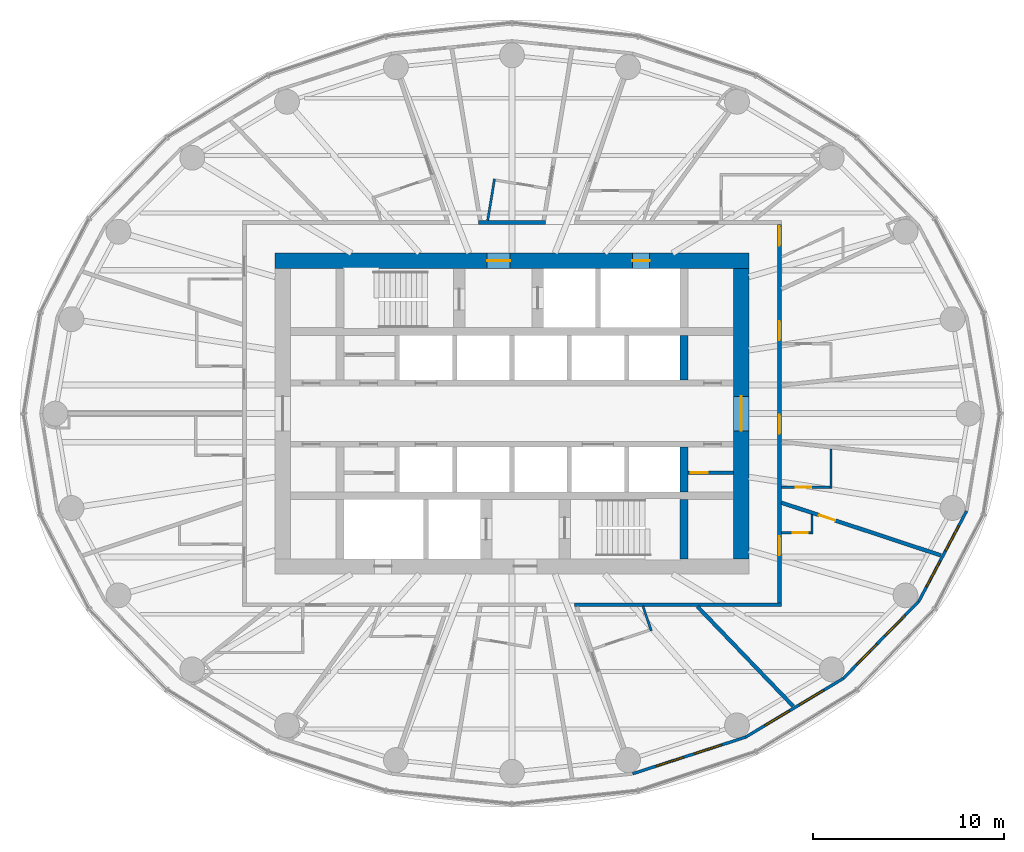
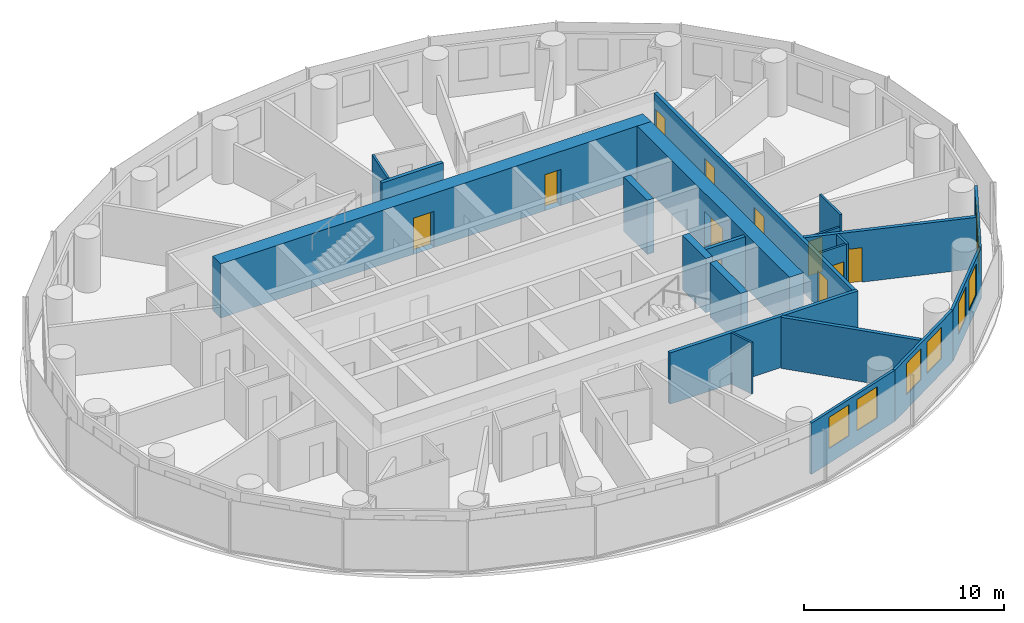
# One storey, part 9 of 13: 21 walls, 11 doors, 8 windows, 19 openings.
"""IFC4 building model written with IfcOpenShell, lengths in metres."""

from ifc_helpers import new_model, si_unit, direction, frame, frame_2d, origin, place, context, subcontext, project, spatial, rectangle, extrude, material, layer, layer_set, type_object, element, fill, save


model = new_model("IFC4")

# Units and contexts
model_context = context("Model", 3, precision=1e-05, world=origin(), true_north=direction((0.0, 1.0)))
body_context = subcontext(model_context, "Body", "Model", "MODEL_VIEW")
ifc_project = project(units=[si_unit("LENGTHUNIT", "METRE"), si_unit("AREAUNIT", "SQUARE_METRE"), si_unit("VOLUMEUNIT", "CUBIC_METRE"), si_unit("PLANEANGLEUNIT", "RADIAN"), si_unit("MASSUNIT", "GRAM", prefix="KILO")], contexts=[model_context])

# Site, building, storey
site_placement = place(None, origin())
site = spatial("IfcSite", under=ifc_project, at=site_placement, CompositionType="ELEMENT")
building_placement = place(site_placement, origin())
building = spatial("IfcBuilding", under=site, at=building_placement, Name="Hankou Lantern Tower", CompositionType="ELEMENT")
storey_placement = place(building_placement, frame((0.0, 0.0, 125.39990234375)))
storey = spatial("IfcBuildingStorey", under=building, at=storey_placement, Name="L32", CompositionType="ELEMENT", Elevation=125.39990234375)

# Wall, openings, doors
ifc_material_1 = material(Name="Concrete C60", Category="concrete")
ifc_layer_1 = layer(ifc_material_1, 0.800048828125)
ifc_layer_set_1 = layer_set([ifc_layer_1], Name="Concrete C60")
wall_type_1 = type_object("IfcWallType", Name="CW2 CORE WALL 800", PredefinedType="SHEAR", material=ifc_layer_set_1)
wall_1_placement = place(storey_placement, frame((-12.39990234375, 8.0, 0.0), z_axis=(0.0, 0.0, 1.0), x_axis=(1.0, 0.0, 0.0)))
wall_1 = element("IfcWall", 1, at=wall_1_placement, inside=storey, type_object=wall_type_1, Name="Core wall north L32", PredefinedType="SHEAR", context=body_context, shape_type="SweptSolid", body=[
    extrude(rectangle(XDim=24.7998046875, YDim=0.800048828125, at=frame_2d((12.39990234375, 0.0))), origin(), (0.0, 0.0, 1.0), 3.300048828125),
])
opening_1_placement = place(wall_1_placement, frame((11.10009765625, 0.0, 0.0)))
opening_1 = element("IfcOpeningElement", 2, at=opening_1_placement, cuts=wall_1, Name="Opening D5", PredefinedType="OPENING", context=body_context, shape_type="SweptSolid", body=[
    extrude(rectangle(XDim=1.199951171875, YDim=2.199951171875, at=frame_2d((0.60009765625, 1.10009765625))), frame((0.0, 0.409912109375, 0.0), z_axis=(0.0, -1.0, 0.0), x_axis=(1.0, 0.0, 0.0)), (0.0, 0.0, 1.0), 0.820068359375),
])
opening_2_placement = place(wall_1_placement, frame((18.699951171875, 0.0, 0.0)))
opening_2 = element("IfcOpeningElement", 3, at=opening_2_placement, cuts=wall_1, Name="Opening D7", PredefinedType="OPENING", context=body_context, shape_type="SweptSolid", body=[
    extrude(rectangle(XDim=0.89990234375, YDim=2.199951171875, at=frame_2d((0.449951171875, 1.10009765625))), frame((0.0, 0.409912109375, 0.0), z_axis=(0.0, -1.0, 0.0), x_axis=(1.0, 0.0, 0.0)), (0.0, 0.0, 1.0), 0.820068359375),
])
ifc_material_2 = material(Name="Steel door leaf", Category="steel")
door_type_1 = type_object("IfcDoorType", Name="D5 STAIR LOBBY DOOR 1200X2200", OperationType="SINGLE_SWING_LEFT", PredefinedType="DOOR", material=ifc_material_2)
door_1_placement = place(opening_1_placement, origin())
door_1 = element("IfcDoor", 4, at=door_1_placement, inside=storey, type_object=door_type_1, Name="Stair A lobby door", OperationType="SINGLE_SWING_LEFT", OverallHeight=2.199951171875, OverallWidth=1.199951171875, PredefinedType="DOOR", context=body_context, shape_type="SweptSolid", body=[
    extrude(rectangle(XDim=1.199951171875, YDim=2.199951171875, at=frame_2d((0.60009765625, 1.10009765625))), frame((0.0, 0.02490234375, 0.0), z_axis=(0.0, -1.0, 0.0), x_axis=(1.0, 0.0, 0.0)), (0.0, 0.0, 1.0), 0.050048828125),
])
fill(opening_1, door_1)
ifc_material_3 = material(Name="Steel door leaf", Category="steel")
door_type_2 = type_object("IfcDoorType", Name="D7 RISER DOOR 900X2200", OperationType="SINGLE_SWING_LEFT", PredefinedType="DOOR", material=ifc_material_3)
door_2_placement = place(opening_2_placement, origin())
door_2 = element("IfcDoor", 5, at=door_2_placement, inside=storey, type_object=door_type_2, Name="Riser N1 door", OperationType="SINGLE_SWING_RIGHT", OverallHeight=2.199951171875, OverallWidth=0.89990234375, PredefinedType="DOOR", context=body_context, shape_type="SweptSolid", body=[
    extrude(rectangle(XDim=0.89990234375, YDim=2.199951171875, at=frame_2d((0.449951171875, 1.10009765625))), frame((0.0, 0.02490234375, 0.0), z_axis=(0.0, -1.0, 0.0), x_axis=(1.0, 0.0, 0.0)), (0.0, 0.0, 1.0), 0.050048828125),
])
fill(opening_2, door_2)

# Wall, opening, door
wall_2_placement = place(storey_placement, frame((12.0, -7.60009765625, 0.0), z_axis=(0.0, 0.0, 1.0), x_axis=(0.0, 1.0, 0.0)))
wall_2 = element("IfcWall", 6, at=wall_2_placement, inside=storey, type_object=wall_type_1, Name="Core wall east L32", PredefinedType="SHEAR", context=body_context, shape_type="SweptSolid", body=[
    extrude(rectangle(XDim=15.2001953125, YDim=0.800048828125, at=frame_2d((7.60009765625, 0.0))), origin(), (0.0, 0.0, 1.0), 3.300048828125),
])
opening_3_placement = place(wall_2_placement, frame((6.699951171875, 0.0, 0.0)))
opening_3 = element("IfcOpeningElement", 7, at=opening_3_placement, cuts=wall_2, Name="Opening D6", PredefinedType="OPENING", context=body_context, shape_type="SweptSolid", body=[
    extrude(rectangle(XDim=1.800048828125, YDim=2.199951171875, at=frame_2d((0.89990234375, 1.10009765625))), frame((0.0, 0.409912109375, 0.0), z_axis=(0.0, -1.0, 0.0), x_axis=(1.0, 0.0, 0.0)), (0.0, 0.0, 1.0), 0.820068359375),
])
ifc_material_4 = material(Name="Steel door leaf", Category="steel")
door_type_3 = type_object("IfcDoorType", Name="D6 LIFT LOBBY DOOR 1800X2200", OperationType="DOUBLE_DOOR_DOUBLE_SWING", PredefinedType="DOOR", material=ifc_material_4)
door_3_placement = place(opening_3_placement, origin())
door_3 = element("IfcDoor", 8, at=door_3_placement, inside=storey, type_object=door_type_3, Name="Lift lobby east door", OperationType="DOUBLE_DOOR_DOUBLE_SWING", OverallHeight=2.199951171875, OverallWidth=1.800048828125, PredefinedType="DOOR", context=body_context, shape_type="SweptSolid", body=[
    extrude(rectangle(XDim=1.800048828125, YDim=2.199951171875, at=frame_2d((0.89990234375, 1.10009765625))), frame((0.0, 0.02490234375, 0.0), z_axis=(0.0, -1.0, 0.0), x_axis=(1.0, 0.0, 0.0)), (0.0, 0.0, 1.0), 0.050048828125),
])
fill(opening_3, door_3)

# Walls
ifc_material_5 = material(Name="Concrete C60", Category="concrete")
ifc_layer_2 = layer(ifc_material_5, 0.39990234375)
ifc_layer_set_2 = layer_set([ifc_layer_2], Name="Concrete C60")
wall_type_2 = type_object("IfcWallType", Name="CW4 CORE CROSS WALL 400", PredefinedType="SHEAR", material=ifc_layer_set_2)
for number, where, z_axis, x_axis, name in (
    (9, (9.0, 1.75, 0.0), (0.0, 0.0, 1.0), (0.0, 1.0, 0.0), "Core strip wall L32"),
    (10, (9.0, -4.10009765625, 0.0), (0.0, 0.0, 1.0), (0.0, 1.0, 0.0), "Core strip wall L32"),
):
    element("IfcWall", number, at=place(storey_placement, frame(where, z_axis=z_axis, x_axis=x_axis)), inside=storey, type_object=wall_type_2, Name=name, PredefinedType="SHEAR", context=body_context, shape_type="SweptSolid", body=[
        extrude(rectangle(XDim=2.35009765625, YDim=0.39990234375, at=frame_2d((1.175048828125, 0.0))), origin(), (0.0, 0.0, 1.0), 3.300048828125),
    ])
wall_3_placement = place(storey_placement, frame((9.0, -7.60009765625, 0.0), z_axis=(0.0, 0.0, 1.0), x_axis=(0.0, 1.0, 0.0)))
element("IfcWall", 11, at=wall_3_placement, inside=storey, type_object=wall_type_2, Name="Core strip wall L32", PredefinedType="SHEAR", context=body_context, shape_type="SweptSolid", body=[
    extrude(rectangle(XDim=3.10009765625, YDim=0.39990234375, at=frame_2d((1.550048828125, 0.0))), origin(), (0.0, 0.0, 1.0), 3.300048828125),
])

# Wall, openings, windows
ifc_material_6 = material(Name="Aluminium spandrel panel on steel studs", Category="steel")
ifc_layer_3 = layer(ifc_material_6, 0.14990234375)
ifc_layer_set_3 = layer_set([ifc_layer_3], Name="Aluminium spandrel panel on steel studs")
wall_type_3 = type_object("IfcWallType", Name="EW1 INNER SKIN WALL 150", PredefinedType="ELEMENTEDWALL", material=ifc_layer_set_3)
wall_4_placement = place(storey_placement, frame((6.3134765625, -18.849609375, 0.0), z_axis=(0.0, 0.0, 1.0), x_axis=(0.951272691506, 0.308350881944, 0.0)))
wall_4 = element("IfcWall", 12, at=wall_4_placement, inside=storey, type_object=wall_type_3, Name="Inner skin R20-R21 L32", PredefinedType="ELEMENTEDWALL", context=body_context, shape_type="SweptSolid", body=[
    extrude(rectangle(XDim=6.210693359375, YDim=0.14990234375, at=frame_2d((3.10546875, 0.0))), origin(), (0.0, 0.0, 1.0), 3.1201171875),
])
opening_4_placement = place(wall_4_placement, frame((1.305419921875, 0.0, 0.89990234375)))
opening_4 = element("IfcOpeningElement", 13, at=opening_4_placement, cuts=wall_4, Name="Opening W2", PredefinedType="OPENING", context=body_context, shape_type="SweptSolid", body=[
    extrude(rectangle(XDim=1.5, YDim=1.89990234375, at=frame_2d((0.75, 0.949951171875))), frame((0.0, 0.0849609375, 0.0), z_axis=(0.0, -1.0, 0.0), x_axis=(1.0, 0.0, 0.0)), (0.0, 0.0, 1.0), 0.169921875),
])
opening_5_placement = place(wall_4_placement, frame((3.4052734375, 0.0, 0.89990234375)))
opening_5 = element("IfcOpeningElement", 14, at=opening_5_placement, cuts=wall_4, Name="Opening W2", PredefinedType="OPENING", context=body_context, shape_type="SweptSolid", body=[
    extrude(rectangle(XDim=1.5, YDim=1.89990234375, at=frame_2d((0.75, 0.949951171875))), frame((0.0, 0.0849609375, 0.0), z_axis=(0.0, -1.0, 0.0), x_axis=(1.0, 0.0, 0.0)), (0.0, 0.0, 1.0), 0.169921875),
])
ifc_material_7 = material(Name="Aluminium framed double glazed window", Category="aluminium")
window_type = type_object("IfcWindowType", Name="W2 GUEST ROOM WINDOW 1500X1900", PartitioningType="DOUBLE_PANEL_VERTICAL", PredefinedType="WINDOW", material=ifc_material_7)
window_1_placement = place(opening_4_placement, origin())
window_1 = element("IfcWindow", 15, at=window_1_placement, inside=storey, type_object=window_type, Name="Window R20.1 L32", OverallHeight=1.89990234375, OverallWidth=1.5, PartitioningType="SINGLE_PANEL", PredefinedType="WINDOW", context=body_context, shape_type="SweptSolid", body=[
    extrude(rectangle(XDim=1.5, YDim=1.89990234375, at=frame_2d((0.75, 0.949951171875))), frame((0.0, 0.030029296875, 0.0), z_axis=(0.0, -1.0, 0.0), x_axis=(1.0, 0.0, 0.0)), (0.0, 0.0, 1.0), 0.06005859375),
])
fill(opening_4, window_1)
window_2_placement = place(opening_5_placement, origin())
window_2 = element("IfcWindow", 16, at=window_2_placement, inside=storey, type_object=window_type, Name="Window R20.2 L32", OverallHeight=1.89990234375, OverallWidth=1.5, PartitioningType="SINGLE_PANEL", PredefinedType="WINDOW", context=body_context, shape_type="SweptSolid", body=[
    extrude(rectangle(XDim=1.5, YDim=1.89990234375, at=frame_2d((0.75, 0.949951171875))), frame((0.0, 0.030029296875, 0.0), z_axis=(0.0, -1.0, 0.0), x_axis=(1.0, 0.0, 0.0)), (0.0, 0.0, 1.0), 0.06005859375),
])
fill(opening_5, window_2)

wall_5_placement = place(storey_placement, frame((12.221435546875, -16.9345703125, 0.0), z_axis=(0.0, 0.0, 1.0), x_axis=(0.857308573723, 0.514802884044, 0.0)))
wall_5 = element("IfcWall", 17, at=wall_5_placement, inside=storey, type_object=wall_type_3, Name="Inner skin R21-R22 L32", PredefinedType="ELEMENTEDWALL", context=body_context, shape_type="SweptSolid", body=[
    extrude(rectangle(XDim=5.961181640625, YDim=0.14990234375, at=frame_2d((2.98046875, 0.0))), origin(), (0.0, 0.0, 1.0), 3.1201171875),
])
opening_6_placement = place(wall_5_placement, frame((1.1806640625, 0.0, 0.89990234375)))
opening_6 = element("IfcOpeningElement", 18, at=opening_6_placement, cuts=wall_5, Name="Opening W2", PredefinedType="OPENING", context=body_context, shape_type="SweptSolid", body=[
    extrude(rectangle(XDim=1.5, YDim=1.89990234375, at=frame_2d((0.75, 0.949951171875))), frame((0.0, 0.0849609375, 0.0), z_axis=(0.0, -1.0, 0.0), x_axis=(1.0, 0.0, 0.0)), (0.0, 0.0, 1.0), 0.169921875),
])
opening_7_placement = place(wall_5_placement, frame((3.280517578125, 0.0, 0.89990234375)))
opening_7 = element("IfcOpeningElement", 19, at=opening_7_placement, cuts=wall_5, Name="Opening W2", PredefinedType="OPENING", context=body_context, shape_type="SweptSolid", body=[
    extrude(rectangle(XDim=1.5, YDim=1.89990234375, at=frame_2d((0.75, 0.949951171875))), frame((0.0, 0.0849609375, 0.0), z_axis=(0.0, -1.0, 0.0), x_axis=(1.0, 0.0, 0.0)), (0.0, 0.0, 1.0), 0.169921875),
])
window_3_placement = place(opening_6_placement, origin())
window_3 = element("IfcWindow", 20, at=window_3_placement, inside=storey, type_object=window_type, Name="Window R21.1 L32", OverallHeight=1.89990234375, OverallWidth=1.5, PartitioningType="SINGLE_PANEL", PredefinedType="WINDOW", context=body_context, shape_type="SweptSolid", body=[
    extrude(rectangle(XDim=1.5, YDim=1.89990234375, at=frame_2d((0.75, 0.949951171875))), frame((0.0, 0.030029296875, 0.0), z_axis=(0.0, -1.0, 0.0), x_axis=(1.0, 0.0, 0.0)), (0.0, 0.0, 1.0), 0.06005859375),
])
fill(opening_6, window_3)
window_4_placement = place(opening_7_placement, origin())
window_4 = element("IfcWindow", 21, at=window_4_placement, inside=storey, type_object=window_type, Name="Window R21.2 L32", OverallHeight=1.89990234375, OverallWidth=1.5, PartitioningType="SINGLE_PANEL", PredefinedType="WINDOW", context=body_context, shape_type="SweptSolid", body=[
    extrude(rectangle(XDim=1.5, YDim=1.89990234375, at=frame_2d((0.75, 0.949951171875))), frame((0.0, 0.030029296875, 0.0), z_axis=(0.0, -1.0, 0.0), x_axis=(1.0, 0.0, 0.0)), (0.0, 0.0, 1.0), 0.06005859375),
])
fill(opening_7, window_4)

wall_6_placement = place(storey_placement, frame((17.33203125, -13.86572265625, 0.0), z_axis=(0.0, 0.0, 1.0), x_axis=(0.700136650834, 0.714008872605, 0.0)))
wall_6 = element("IfcWall", 22, at=wall_6_placement, inside=storey, type_object=wall_type_3, Name="Inner skin R22-R23 L32", PredefinedType="ELEMENTEDWALL", context=body_context, shape_type="SweptSolid", body=[
    extrude(rectangle(XDim=5.6494140625, YDim=0.14990234375, at=frame_2d((2.82470703125, 0.0))), origin(), (0.0, 0.0, 1.0), 3.1201171875),
])
opening_8_placement = place(wall_6_placement, frame((1.024658203125, 0.0, 0.89990234375)))
opening_8 = element("IfcOpeningElement", 23, at=opening_8_placement, cuts=wall_6, Name="Opening W2", PredefinedType="OPENING", context=body_context, shape_type="SweptSolid", body=[
    extrude(rectangle(XDim=1.5, YDim=1.89990234375, at=frame_2d((0.75, 0.949951171875))), frame((0.0, 0.0849609375, 0.0), z_axis=(0.0, -1.0, 0.0), x_axis=(1.0, 0.0, 0.0)), (0.0, 0.0, 1.0), 0.169921875),
])
opening_9_placement = place(wall_6_placement, frame((3.12451171875, 0.0, 0.89990234375)))
opening_9 = element("IfcOpeningElement", 24, at=opening_9_placement, cuts=wall_6, Name="Opening W2", PredefinedType="OPENING", context=body_context, shape_type="SweptSolid", body=[
    extrude(rectangle(XDim=1.5, YDim=1.89990234375, at=frame_2d((0.75, 0.949951171875))), frame((0.0, 0.0849609375, 0.0), z_axis=(0.0, -1.0, 0.0), x_axis=(1.0, 0.0, 0.0)), (0.0, 0.0, 1.0), 0.169921875),
])
window_5_placement = place(opening_8_placement, origin())
window_5 = element("IfcWindow", 25, at=window_5_placement, inside=storey, type_object=window_type, Name="Window R22.1 L32", OverallHeight=1.89990234375, OverallWidth=1.5, PartitioningType="SINGLE_PANEL", PredefinedType="WINDOW", context=body_context, shape_type="SweptSolid", body=[
    extrude(rectangle(XDim=1.5, YDim=1.89990234375, at=frame_2d((0.75, 0.949951171875))), frame((0.0, 0.030029296875, 0.0), z_axis=(0.0, -1.0, 0.0), x_axis=(1.0, 0.0, 0.0)), (0.0, 0.0, 1.0), 0.06005859375),
])
fill(opening_8, window_5)
window_6_placement = place(opening_9_placement, origin())
window_6 = element("IfcWindow", 26, at=window_6_placement, inside=storey, type_object=window_type, Name="Window R22.2 L32", OverallHeight=1.89990234375, OverallWidth=1.5, PartitioningType="SINGLE_PANEL", PredefinedType="WINDOW", context=body_context, shape_type="SweptSolid", body=[
    extrude(rectangle(XDim=1.5, YDim=1.89990234375, at=frame_2d((0.75, 0.949951171875))), frame((0.0, 0.030029296875, 0.0), z_axis=(0.0, -1.0, 0.0), x_axis=(1.0, 0.0, 0.0)), (0.0, 0.0, 1.0), 0.06005859375),
])
fill(opening_9, window_6)

wall_7_placement = place(storey_placement, frame((21.287353515625, -9.83203125, 0.0), z_axis=(0.0, 0.0, 1.0), x_axis=(0.467814388454, 0.883826735257, 0.0)))
wall_7 = element("IfcWall", 27, at=wall_7_placement, inside=storey, type_object=wall_type_3, Name="Inner skin R23-R24 L32", PredefinedType="ELEMENTEDWALL", context=body_context, shape_type="SweptSolid", body=[
    extrude(rectangle(XDim=5.35400390625, YDim=0.14990234375, at=frame_2d((2.677001953125, 0.0))), origin(), (0.0, 0.0, 1.0), 3.1201171875),
])
opening_10_placement = place(wall_7_placement, frame((0.876953125, 0.0, 0.89990234375)))
opening_10 = element("IfcOpeningElement", 28, at=opening_10_placement, cuts=wall_7, Name="Opening W2", PredefinedType="OPENING", context=body_context, shape_type="SweptSolid", body=[
    extrude(rectangle(XDim=1.5, YDim=1.89990234375, at=frame_2d((0.75, 0.949951171875))), frame((0.0, 0.0849609375, 0.0), z_axis=(0.0, -1.0, 0.0), x_axis=(1.0, 0.0, 0.0)), (0.0, 0.0, 1.0), 0.169921875),
])
opening_11_placement = place(wall_7_placement, frame((2.97705078125, 0.0, 0.89990234375)))
opening_11 = element("IfcOpeningElement", 29, at=opening_11_placement, cuts=wall_7, Name="Opening W2", PredefinedType="OPENING", context=body_context, shape_type="SweptSolid", body=[
    extrude(rectangle(XDim=1.5, YDim=1.89990234375, at=frame_2d((0.75, 0.949951171875))), frame((0.0, 0.0849609375, 0.0), z_axis=(0.0, -1.0, 0.0), x_axis=(1.0, 0.0, 0.0)), (0.0, 0.0, 1.0), 0.169921875),
])
window_7_placement = place(opening_10_placement, origin())
window_7 = element("IfcWindow", 30, at=window_7_placement, inside=storey, type_object=window_type, Name="Window R23.1 L32", OverallHeight=1.89990234375, OverallWidth=1.5, PartitioningType="SINGLE_PANEL", PredefinedType="WINDOW", context=body_context, shape_type="SweptSolid", body=[
    extrude(rectangle(XDim=1.5, YDim=1.89990234375, at=frame_2d((0.75, 0.949951171875))), frame((0.0, 0.030029296875, 0.0), z_axis=(0.0, -1.0, 0.0), x_axis=(1.0, 0.0, 0.0)), (0.0, 0.0, 1.0), 0.06005859375),
])
fill(opening_10, window_7)
window_8_placement = place(opening_11_placement, origin())
window_8 = element("IfcWindow", 31, at=window_8_placement, inside=storey, type_object=window_type, Name="Window R23.2 L32", OverallHeight=1.89990234375, OverallWidth=1.5, PartitioningType="SINGLE_PANEL", PredefinedType="WINDOW", context=body_context, shape_type="SweptSolid", body=[
    extrude(rectangle(XDim=1.5, YDim=1.89990234375, at=frame_2d((0.75, 0.949951171875))), frame((0.0, 0.030029296875, 0.0), z_axis=(0.0, -1.0, 0.0), x_axis=(1.0, 0.0, 0.0)), (0.0, 0.0, 1.0), 0.06005859375),
])
fill(opening_11, window_8)

# Wall
ifc_material_8 = material(Name="Masonry lightweight concrete block", Category="masonry")
ifc_layer_4 = layer(ifc_material_8, 0.199951171875)
ifc_layer_set_4 = layer_set([ifc_layer_4], Name="Masonry lightweight concrete block")
wall_type_4 = type_object("IfcWallType", Name="IW1 GUEST ROOM PARTY WALL 200", PredefinedType="PARTITIONING", material=ifc_layer_set_4)
wall_8_placement = place(storey_placement, frame((9.706298828125, -10.10009765625, 0.0), z_axis=(0.0, 0.0, 1.0), x_axis=(0.692944801824, -0.720990639069, 0.0)))
element("IfcWall", 32, at=wall_8_placement, inside=storey, type_object=wall_type_4, Name="Party wall R21-R22", PredefinedType="PARTITIONING", context=body_context, shape_type="SweptSolid", body=[
    extrude(rectangle(XDim=7.23388671875, YDim=0.199951171875, at=frame_2d((3.616943359375, 0.0))), origin(), (0.0, 0.0, 1.0), 3.1201171875),
])

# Wall, openings, doors
ifc_material_9 = material(Name="Masonry lightweight concrete block", Category="masonry")
ifc_layer_5 = layer(ifc_material_9, 0.199951171875)
ifc_layer_set_5 = layer_set([ifc_layer_5], Name="Masonry lightweight concrete block")
wall_type_5 = type_object("IfcWallType", Name="IW2 CORRIDOR WALL 200", PredefinedType="PARTITIONING", material=ifc_layer_set_5)
wall_9_placement = place(storey_placement, frame((14.0, -9.89990234375, 0.0), z_axis=(0.0, 0.0, 1.0), x_axis=(0.0, 1.0, 0.0)))
wall_9 = element("IfcWall", 33, at=wall_9_placement, inside=storey, type_object=wall_type_5, Name="Corridor wall east", PredefinedType="PARTITIONING", context=body_context, shape_type="SweptSolid", body=[
    extrude(rectangle(XDim=19.7998046875, YDim=0.199951171875, at=frame_2d((9.89990234375, 0.0))), origin(), (0.0, 0.0, 1.0), 3.1201171875),
])
opening_12_placement = place(wall_9_placement, frame((2.477783203125, 0.0, 0.0)))
opening_12 = element("IfcOpeningElement", 34, at=opening_12_placement, cuts=wall_9, Name="Opening D2", PredefinedType="OPENING", context=body_context, shape_type="SweptSolid", body=[
    extrude(rectangle(XDim=1.0, YDim=2.199951171875, at=frame_2d((0.5, 1.10009765625))), frame((0.0, 0.10986328125, 0.0), z_axis=(0.0, -1.0, 0.0), x_axis=(1.0, 0.0, 0.0)), (0.0, 0.0, 1.0), 0.219970703125),
])
opening_13_placement = place(wall_9_placement, frame((8.838134765625, 0.0, 0.0)))
opening_13 = element("IfcOpeningElement", 35, at=opening_13_placement, cuts=wall_9, Name="Opening D28", PredefinedType="OPENING", context=body_context, shape_type="SweptSolid", body=[
    extrude(rectangle(XDim=1.0, YDim=2.199951171875, at=frame_2d((0.5, 1.10009765625))), frame((0.0, 0.10986328125, 0.0), z_axis=(0.0, -1.0, 0.0), x_axis=(1.0, 0.0, 0.0)), (0.0, 0.0, 1.0), 0.219970703125),
])
opening_14_placement = place(wall_9_placement, frame((13.74169921875, 0.0, 0.0)))
opening_14 = element("IfcOpeningElement", 36, at=opening_14_placement, cuts=wall_9, Name="Opening D1", PredefinedType="OPENING", context=body_context, shape_type="SweptSolid", body=[
    extrude(rectangle(XDim=1.0, YDim=2.199951171875, at=frame_2d((0.5, 1.10009765625))), frame((0.0, 0.10986328125, 0.0), z_axis=(0.0, -1.0, 0.0), x_axis=(1.0, 0.0, 0.0)), (0.0, 0.0, 1.0), 0.219970703125),
])
opening_15_placement = place(wall_9_placement, frame((18.697509765625, 0.0, 0.0)))
opening_15 = element("IfcOpeningElement", 37, at=opening_15_placement, cuts=wall_9, Name="Opening D1", PredefinedType="OPENING", context=body_context, shape_type="SweptSolid", body=[
    extrude(rectangle(XDim=1.0, YDim=2.199951171875, at=frame_2d((0.5, 1.10009765625))), frame((0.0, 0.10986328125, 0.0), z_axis=(0.0, -1.0, 0.0), x_axis=(1.0, 0.0, 0.0)), (0.0, 0.0, 1.0), 0.219970703125),
])
ifc_material_10 = material(Name="Steel door leaf", Category="steel")
door_type_4 = type_object("IfcDoorType", Name="D1 GUEST ROOM DOOR 1000X2200", OperationType="SINGLE_SWING_LEFT", PredefinedType="DOOR", material=ifc_material_10)
door_4_placement = place(opening_14_placement, origin())
door_4 = element("IfcDoor", 38, at=door_4_placement, inside=storey, type_object=door_type_4, Name="Guest room door 3217", OperationType="SINGLE_SWING_RIGHT", OverallHeight=2.199951171875, OverallWidth=1.0, PredefinedType="DOOR", context=body_context, shape_type="SweptSolid", body=[
    extrude(rectangle(XDim=1.0, YDim=2.199951171875, at=frame_2d((0.5, 1.10009765625))), frame((0.0, 0.02490234375, 0.0), z_axis=(0.0, -1.0, 0.0), x_axis=(1.0, 0.0, 0.0)), (0.0, 0.0, 1.0), 0.050048828125),
])
fill(opening_14, door_4)
door_5_placement = place(opening_15_placement, origin())
door_5 = element("IfcDoor", 39, at=door_5_placement, inside=storey, type_object=door_type_4, Name="Guest room door 3218", OperationType="SINGLE_SWING_RIGHT", OverallHeight=2.199951171875, OverallWidth=1.0, PredefinedType="DOOR", context=body_context, shape_type="SweptSolid", body=[
    extrude(rectangle(XDim=1.0, YDim=2.199951171875, at=frame_2d((0.5, 1.10009765625))), frame((0.0, 0.02490234375, 0.0), z_axis=(0.0, -1.0, 0.0), x_axis=(1.0, 0.0, 0.0)), (0.0, 0.0, 1.0), 0.050048828125),
])
fill(opening_15, door_5)
ifc_material_11 = material(Name="Steel door leaf", Category="steel")
door_type_5 = type_object("IfcDoorType", Name="D2 SUITE DOOR 1000X2200", OperationType="SINGLE_SWING_LEFT", PredefinedType="DOOR", material=ifc_material_11)
door_6_placement = place(opening_12_placement, origin())
door_6 = element("IfcDoor", 40, at=door_6_placement, inside=storey, type_object=door_type_5, Name="Suite door 3215C", OperationType="SINGLE_SWING_LEFT", OverallHeight=2.199951171875, OverallWidth=1.0, PredefinedType="DOOR", context=body_context, shape_type="SweptSolid", body=[
    extrude(rectangle(XDim=1.0, YDim=2.199951171875, at=frame_2d((0.5, 1.10009765625))), frame((0.0, 0.02490234375, 0.0), z_axis=(0.0, -1.0, 0.0), x_axis=(1.0, 0.0, 0.0)), (0.0, 0.0, 1.0), 0.050048828125),
])
fill(opening_12, door_6)
ifc_material_12 = material(Name="Steel door leaf", Category="steel")
door_type_6 = type_object("IfcDoorType", Name="D28 SERVICE DOOR 1000X2200", OperationType="SINGLE_SWING_LEFT", PredefinedType="DOOR", material=ifc_material_12)
door_7_placement = place(opening_13_placement, origin())
door_7 = element("IfcDoor", 41, at=door_7_placement, inside=storey, type_object=door_type_6, Name="Service door 3216", OperationType="SINGLE_SWING_LEFT", OverallHeight=2.199951171875, OverallWidth=1.0, PredefinedType="DOOR", context=body_context, shape_type="SweptSolid", body=[
    extrude(rectangle(XDim=1.0, YDim=2.199951171875, at=frame_2d((0.5, 1.10009765625))), frame((0.0, 0.02490234375, 0.0), z_axis=(0.0, -1.0, 0.0), x_axis=(1.0, 0.0, 0.0)), (0.0, 0.0, 1.0), 0.050048828125),
])
fill(opening_13, door_7)

# Walls
wall_10_placement = place(storey_placement, frame((14.10009765625, -10.0, 0.0), z_axis=(0.0, 0.0, 1.0), x_axis=(-1.0, 0.0, 0.0)))
element("IfcWall", 42, at=wall_10_placement, inside=storey, type_object=wall_type_5, Name="Corridor wall south", PredefinedType="PARTITIONING", context=body_context, shape_type="SweptSolid", body=[
    extrude(rectangle(XDim=10.817138671875, YDim=0.199951171875, at=frame_2d((5.40869140625, 0.0))), origin(), (0.0, 0.0, 1.0), 3.1201171875),
])
wall_11_placement = place(storey_placement, frame((-1.76513671875, 10.0, 0.0), z_axis=(0.0, 0.0, 1.0), x_axis=(1.0, 0.0, 0.0)))
element("IfcWall", 43, at=wall_11_placement, inside=storey, type_object=wall_type_5, Name="Corridor wall north", PredefinedType="PARTITIONING", context=body_context, shape_type="SweptSolid", body=[
    extrude(rectangle(XDim=3.5302734375, YDim=0.199951171875, at=frame_2d((1.76513671875, 0.0))), origin(), (0.0, 0.0, 1.0), 3.1201171875),
])
ifc_material_13 = material(Name="Masonry lightweight concrete block", Category="masonry")
ifc_layer_6 = layer(ifc_material_13, 0.1201171875)
ifc_layer_set_6 = layer_set([ifc_layer_6], Name="Masonry lightweight concrete block")
wall_type_6 = type_object("IfcWallType", Name="IW3 BATHROOM WALL 120", PredefinedType="PARTITIONING", material=ifc_layer_set_6)
wall_12_placement = place(storey_placement, frame((-1.271240234375, 10.1162109375, 0.0), z_axis=(0.0, 0.0, 1.0), x_axis=(0.162672481395, 0.986680122328, 0.0)))
element("IfcWall", 44, at=wall_12_placement, inside=storey, type_object=wall_type_6, Name="Box wall 3202 1", PredefinedType="PARTITIONING", context=body_context, shape_type="SweptSolid", body=[
    extrude(rectangle(XDim=2.20166015625, YDim=0.1201171875, at=frame_2d((1.100830078125, 0.0))), origin(), (0.0, 0.0, 1.0), 3.1201171875),
])
wall_13_placement = place(storey_placement, frame((6.852294921875, -10.068359375, 0.0), z_axis=(0.0, 0.0, 1.0), x_axis=(0.317619240343, -0.948218338867, 0.0)))
element("IfcWall", 45, at=wall_13_placement, inside=storey, type_object=wall_type_6, Name="Box wall 3214 1", PredefinedType="PARTITIONING", context=body_context, shape_type="SweptSolid", body=[
    extrude(rectangle(XDim=1.3681640625, YDim=0.1201171875, at=frame_2d((0.68408203125, 0.0))), origin(), (0.0, 0.0, 1.0), 3.1201171875),
])
wall_14_placement = place(storey_placement, frame((15.699951171875, -5.291259765625, 0.0), z_axis=(0.0, 0.0, 1.0), x_axis=(0.0, -1.0, 0.0)))
element("IfcWall", 46, at=wall_14_placement, inside=storey, type_object=wall_type_6, Name="Box wall 3215C 1", PredefinedType="PARTITIONING", context=body_context, shape_type="SweptSolid", body=[
    extrude(rectangle(XDim=1.010986328125, YDim=0.1201171875, at=frame_2d((0.50537109375, 0.0))), origin(), (0.0, 0.0, 1.0), 3.1201171875),
])

# Wall, opening, door
wall_15_placement = place(storey_placement, frame((14.10009765625, -6.2421875, 0.0), z_axis=(0.0, 0.0, 1.0), x_axis=(1.0, 0.0, 0.0)))
wall_15 = element("IfcWall", 47, at=wall_15_placement, inside=storey, type_object=wall_type_6, Name="Box wall 3215C 1", PredefinedType="PARTITIONING", context=body_context, shape_type="SweptSolid", body=[
    extrude(rectangle(XDim=1.539794921875, YDim=0.1201171875, at=frame_2d((0.77001953125, 0.0))), origin(), (0.0, 0.0, 1.0), 3.1201171875),
])
opening_16_placement = place(wall_15_placement, frame((0.590087890625, 0.0, 0.0)))
opening_16 = element("IfcOpeningElement", 48, at=opening_16_placement, cuts=wall_15, Name="Opening D3", PredefinedType="OPENING", context=body_context, shape_type="SweptSolid", body=[
    extrude(rectangle(XDim=0.800048828125, YDim=2.10009765625, at=frame_2d((0.39990234375, 1.050048828125))), frame((0.0, 0.070068359375, 0.0), z_axis=(0.0, -1.0, 0.0), x_axis=(1.0, 0.0, 0.0)), (0.0, 0.0, 1.0), 0.14013671875),
])
ifc_material_14 = material(Name="Timber door leaf", Category="wood")
door_type_7 = type_object("IfcDoorType", Name="D3 BATHROOM DOOR 800X2100", OperationType="SINGLE_SWING_LEFT", PredefinedType="DOOR", material=ifc_material_14)
door_8_placement = place(opening_16_placement, origin())
door_8 = element("IfcDoor", 49, at=door_8_placement, inside=storey, type_object=door_type_7, Name="Corner suite 3215 guest WC door", OperationType="SINGLE_SWING_RIGHT", OverallHeight=2.10009765625, OverallWidth=0.800048828125, PredefinedType="DOOR", context=body_context, shape_type="SweptSolid", body=[
    extrude(rectangle(XDim=0.800048828125, YDim=2.10009765625, at=frame_2d((0.39990234375, 1.050048828125))), frame((0.0, 0.02490234375, 0.0), z_axis=(0.0, -1.0, 0.0), x_axis=(1.0, 0.0, 0.0)), (0.0, 0.0, 1.0), 0.050048828125),
])
fill(opening_16, door_8)

# Wall
wall_16_placement = place(storey_placement, frame((16.699951171875, -1.85498046875, 0.0), z_axis=(0.0, 0.0, 1.0), x_axis=(0.0, -1.0, 0.0)))
element("IfcWall", 50, at=wall_16_placement, inside=storey, type_object=wall_type_6, Name="Box wall 3215A 1", PredefinedType="PARTITIONING", context=body_context, shape_type="SweptSolid", body=[
    extrude(rectangle(XDim=2.066650390625, YDim=0.1201171875, at=frame_2d((1.033203125, 0.0))), origin(), (0.0, 0.0, 1.0), 3.1201171875),
])

# Wall, opening, door
wall_17_placement = place(storey_placement, frame((14.10009765625, -3.86181640625, 0.0), z_axis=(0.0, 0.0, 1.0), x_axis=(1.0, 0.0, 0.0)))
wall_17 = element("IfcWall", 51, at=wall_17_placement, inside=storey, type_object=wall_type_6, Name="Box wall 3215A 1", PredefinedType="PARTITIONING", context=body_context, shape_type="SweptSolid", body=[
    extrude(rectangle(XDim=2.539794921875, YDim=0.1201171875, at=frame_2d((1.27001953125, 0.0))), origin(), (0.0, 0.0, 1.0), 2.3701171875),
])
opening_17_placement = place(wall_17_placement, frame((0.75, 0.0, 0.0)))
opening_17 = element("IfcOpeningElement", 52, at=opening_17_placement, cuts=wall_17, Name="Opening D3", PredefinedType="OPENING", context=body_context, shape_type="SweptSolid", body=[
    extrude(rectangle(XDim=0.800048828125, YDim=2.10009765625, at=frame_2d((0.39990234375, 1.050048828125))), frame((0.0, 0.070068359375, 0.0), z_axis=(0.0, -1.0, 0.0), x_axis=(1.0, 0.0, 0.0)), (0.0, 0.0, 1.0), 0.14013671875),
])
door_9_placement = place(opening_17_placement, origin())
door_9 = element("IfcDoor", 53, at=door_9_placement, inside=storey, type_object=door_type_7, Name="Corner suite 3215 bathroom door", OperationType="SINGLE_SWING_LEFT", OverallHeight=2.10009765625, OverallWidth=0.800048828125, PredefinedType="DOOR", context=body_context, shape_type="SweptSolid", body=[
    extrude(rectangle(XDim=0.800048828125, YDim=2.10009765625, at=frame_2d((0.39990234375, 1.050048828125))), frame((0.0, 0.02490234375, 0.0), z_axis=(0.0, -1.0, 0.0), x_axis=(1.0, 0.0, 0.0)), (0.0, 0.0, 1.0), 0.050048828125),
])
fill(opening_17, door_9)

ifc_material_15 = material(Name="Masonry lightweight concrete block", Category="masonry")
ifc_layer_7 = layer(ifc_material_15, 0.199951171875)
ifc_layer_set_7 = layer_set([ifc_layer_7], Name="Masonry lightweight concrete block")
wall_type_7 = type_object("IfcWallType", Name="IW6 SUITE PARTITION 200", PredefinedType="PARTITIONING", material=ifc_layer_set_7)
wall_18_placement = place(storey_placement, frame((14.10009765625, -4.662353515625, 0.0), z_axis=(0.0, 0.0, 1.0), x_axis=(0.949446466373, -0.313928984789, 0.0)))
wall_18 = element("IfcWall", 54, at=wall_18_placement, inside=storey, type_object=wall_type_7, Name="Suite partition R23-R24", PredefinedType="PARTITIONING", context=body_context, shape_type="SweptSolid", body=[
    extrude(rectangle(XDim=8.79736328125, YDim=0.199951171875, at=frame_2d((4.398681640625, 0.0))), origin(), (0.0, 0.0, 1.0), 3.1201171875),
])
opening_18_placement = place(wall_18_placement, frame((2.070068359375, 0.0, 0.0)))
opening_18 = element("IfcOpeningElement", 55, at=opening_18_placement, cuts=wall_18, Name="Opening D27", PredefinedType="OPENING", context=body_context, shape_type="SweptSolid", body=[
    extrude(rectangle(XDim=0.89990234375, YDim=2.10009765625, at=frame_2d((0.449951171875, 1.050048828125))), frame((0.0, 0.10986328125, 0.0), z_axis=(0.0, -1.0, 0.0), x_axis=(1.0, 0.0, 0.0)), (0.0, 0.0, 1.0), 0.219970703125),
])
ifc_material_16 = material(Name="Timber door leaf", Category="wood")
door_type_8 = type_object("IfcDoorType", Name="D27 INTERNAL DOOR 900X2100", OperationType="SINGLE_SWING_LEFT", PredefinedType="DOOR", material=ifc_material_16)
door_10_placement = place(opening_18_placement, origin())
door_10 = element("IfcDoor", 56, at=door_10_placement, inside=storey, type_object=door_type_8, Name="Corner suite 3215 bedroom door", OperationType="SINGLE_SWING_LEFT", OverallHeight=2.10009765625, OverallWidth=0.89990234375, PredefinedType="DOOR", context=body_context, shape_type="SweptSolid", body=[
    extrude(rectangle(XDim=0.89990234375, YDim=2.10009765625, at=frame_2d((0.449951171875, 1.050048828125))), frame((0.0, 0.02490234375, 0.0), z_axis=(0.0, -1.0, 0.0), x_axis=(1.0, 0.0, 0.0)), (0.0, 0.0, 1.0), 0.050048828125),
])
fill(opening_18, door_10)

ifc_material_17 = material(Name="Masonry lightweight concrete block", Category="masonry")
ifc_layer_8 = layer(ifc_material_17, 0.199951171875)
ifc_layer_set_8 = layer_set([ifc_layer_8], Name="Masonry lightweight concrete block")
wall_type_8 = type_object("IfcWallType", Name="IW8 PARTITION 200", PredefinedType="PARTITIONING", material=ifc_layer_set_8)
wall_19_placement = place(storey_placement, frame((9.199951171875, -3.10009765625, 0.0), z_axis=(0.0, 0.0, 1.0), x_axis=(1.0, 0.0, 0.0)))
wall_19 = element("IfcWall", 57, at=wall_19_placement, inside=storey, type_object=wall_type_8, Name="Partition room service pantry", PredefinedType="PARTITIONING", context=body_context, shape_type="SweptSolid", body=[
    extrude(rectangle(XDim=2.400146484375, YDim=0.199951171875, at=frame_2d((1.2001953125, 0.0))), origin(), (0.0, 0.0, 1.0), 3.1201171875),
])
opening_19_placement = place(wall_19_placement, frame((0.14990234375, 0.0, 0.0)))
opening_19 = element("IfcOpeningElement", 58, at=opening_19_placement, cuts=wall_19, Name="Opening D12", PredefinedType="OPENING", context=body_context, shape_type="SweptSolid", body=[
    extrude(rectangle(XDim=0.89990234375, YDim=2.199951171875, at=frame_2d((0.449951171875, 1.10009765625))), frame((0.0, 0.10986328125, 0.0), z_axis=(0.0, -1.0, 0.0), x_axis=(1.0, 0.0, 0.0)), (0.0, 0.0, 1.0), 0.219970703125),
])
ifc_material_18 = material(Name="Steel door leaf", Category="steel")
door_type_9 = type_object("IfcDoorType", Name="D12 STORE DOOR 900X2200", OperationType="SINGLE_SWING_LEFT", PredefinedType="DOOR", material=ifc_material_18)
door_11_placement = place(opening_19_placement, origin())
door_11 = element("IfcDoor", 59, at=door_11_placement, inside=storey, type_object=door_type_9, Name="Room service cupboard door", OperationType="SINGLE_SWING_LEFT", OverallHeight=2.199951171875, OverallWidth=0.89990234375, PredefinedType="DOOR", context=body_context, shape_type="SweptSolid", body=[
    extrude(rectangle(XDim=0.89990234375, YDim=2.199951171875, at=frame_2d((0.449951171875, 1.10009765625))), frame((0.0, 0.02490234375, 0.0), z_axis=(0.0, -1.0, 0.0), x_axis=(1.0, 0.0, 0.0)), (0.0, 0.0, 1.0), 0.050048828125),
])
fill(opening_19, door_11)

save(model, "model.ifc")
